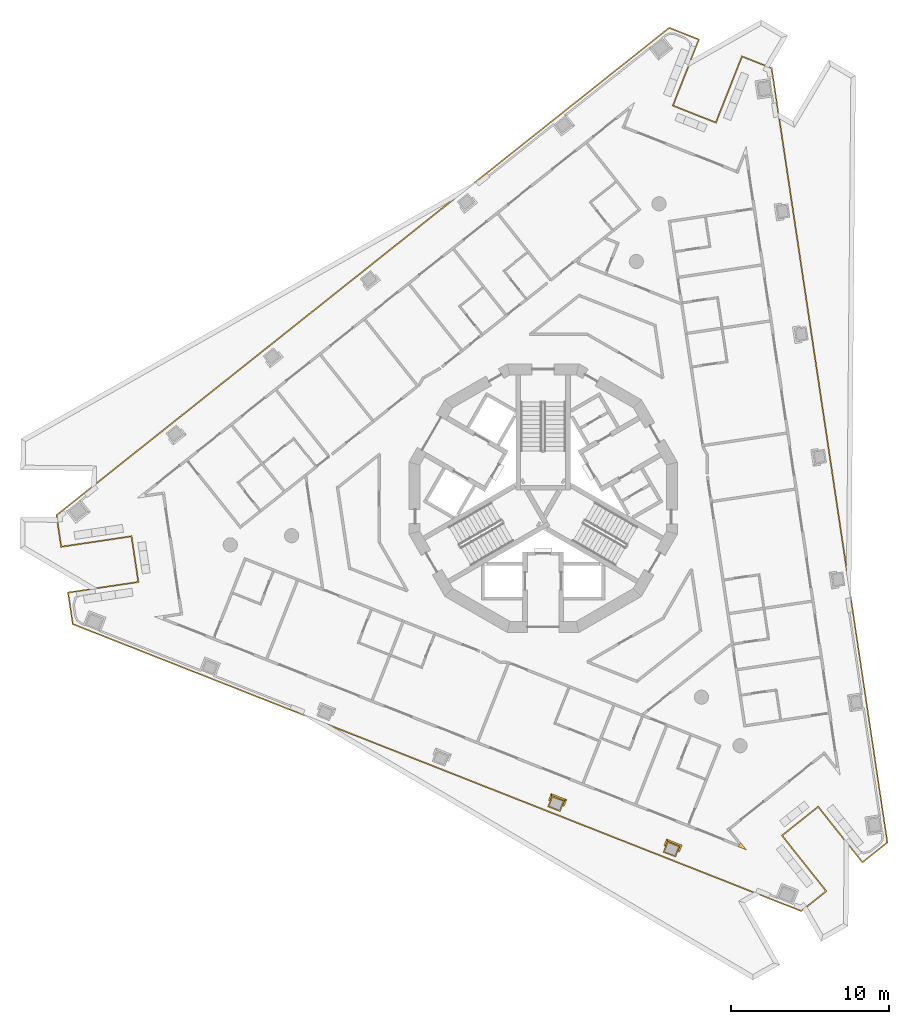
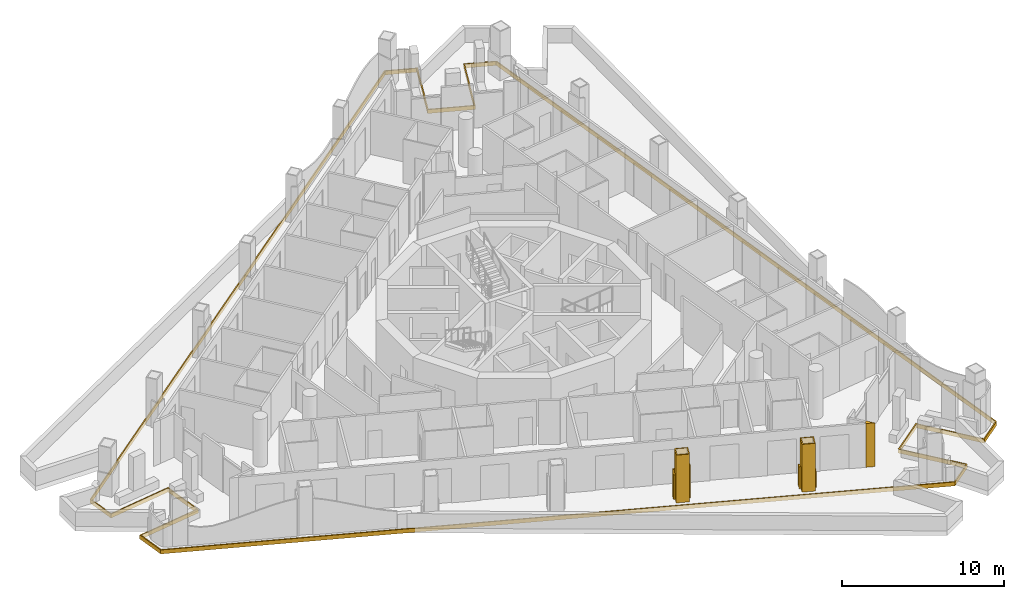
# One storey, part 12 of 16: 4 coverings, 2 railings.
"""IFC4 building model written with IfcOpenShell, lengths in metres."""

from ifc_helpers import new_model, si_unit, direction, frame, origin, place, context, subcontext, project, spatial, polyline, outline, extrude, material, layer, layer_set, type_object, element, save


model = new_model("IFC4")

# Units and contexts
model_context = context("Model", 3, precision=1e-05, world=origin(), true_north=direction((0.0, 1.0)))
body_context = subcontext(model_context, "Body", "Model", "MODEL_VIEW")
ifc_project = project(units=[si_unit("LENGTHUNIT", "METRE"), si_unit("AREAUNIT", "SQUARE_METRE"), si_unit("VOLUMEUNIT", "CUBIC_METRE"), si_unit("PLANEANGLEUNIT", "RADIAN"), si_unit("MASSUNIT", "GRAM", prefix="KILO")], contexts=[model_context])

# Site, building, storey
site_placement = place(None, origin())
site = spatial("IfcSite", under=ifc_project, at=site_placement, CompositionType="ELEMENT")
building_placement = place(site_placement, origin())
building = spatial("IfcBuilding", under=site, at=building_placement, Name="Trine Commons Tower", CompositionType="ELEMENT")
storey_placement = place(building_placement, frame((0.0, 0.0, 198.0)))
storey = spatial("IfcBuildingStorey", under=building, at=storey_placement, Name="L51", CompositionType="ELEMENT", Elevation=198.0)

# Coverings
ifc_material_1 = material(Name="Aluminium-framed insulated wall panel", Category="aluminium")
ifc_layer_1 = layer(ifc_material_1, 0.14990234375)
ifc_layer_set_1 = layer_set([ifc_layer_1], Name="Aluminium-framed insulated wall panel")
covering_type_1 = type_object("IfcCoveringType", Name="Glazing corner post, aluminium", PredefinedType="CLADDING", material=ifc_layer_set_1)
covering_1_placement = place(storey_placement, origin())
element("IfcCovering", 1, at=covering_1_placement, inside=storey, type_object=covering_type_1, Name="Glazing corner post 6-09", PredefinedType="CLADDING", context=body_context, shape_type="SweptSolid", body=[
    extrude(outline(polyline([(92.34765625, 40.439208984375), (92.868408203125, 40.23388671875), (92.52001953125, 40.672119140625), (92.402587890625, 40.57861328125), (92.34765625, 40.439208984375)])), origin(), (0.0, 0.0, 1.0), 3.300048828125),
])
ifc_material_2 = material(Name="Limestone, honed", Category="masonry")
ifc_layer_2 = layer(ifc_material_2, 0.074951171875)
ifc_layer_set_2 = layer_set([ifc_layer_2], Name="Limestone, honed")
covering_type_2 = type_object("IfcCoveringType", Name="Limestone column cladding 75", PredefinedType="CLADDING", material=ifc_layer_set_2)
covering_2_placement = place(storey_placement, origin())
element("IfcCovering", 2, at=covering_2_placement, inside=storey, type_object=covering_type_2, Name="Limestone pier cladding 6-02", PredefinedType="CLADDING", context=body_context, shape_type="SweptSolid", body=[
    extrude(outline(polyline([(87.8671875, 40.790771484375), (87.59228515625, 40.093017578125), (88.383056640625, 39.78125), (88.657958984375, 40.47900390625), (87.8671875, 40.790771484375)]), holes=[polyline([(87.909423828125, 40.693359375), (87.689453125, 40.13525390625), (88.3408203125, 39.878662109375), (88.560791015625, 40.436767578125), (87.909423828125, 40.693359375)])]), origin(), (0.0, 0.0, 1.0), 3.60009765625),
])
covering_3_placement = place(storey_placement, origin())
element("IfcCovering", 3, at=covering_3_placement, inside=storey, type_object=covering_type_2, Name="Limestone pier cladding 6-03", PredefinedType="CLADDING", context=body_context, shape_type="SweptSolid", body=[
    extrude(outline(polyline([(80.562744140625, 43.66796875), (80.287841796875, 42.97021484375), (81.078857421875, 42.658447265625), (81.353759765625, 43.356201171875), (80.562744140625, 43.66796875)]), holes=[polyline([(80.60498046875, 43.570556640625), (80.38525390625, 43.012451171875), (81.03662109375, 42.755859375), (81.25634765625, 43.31396484375), (80.60498046875, 43.570556640625)])]), origin(), (0.0, 0.0, 1.0), 3.60009765625),
])
ifc_layer_3 = layer(ifc_material_2, 0.074951171875)
ifc_layer_set_3 = layer_set([ifc_layer_3], Name="Limestone, honed")
covering_type_3 = type_object("IfcCoveringType", Name="Limestone spandrel panel 75", PredefinedType="CLADDING", material=ifc_layer_set_3)
covering_4_placement = place(storey_placement, frame((0.0, 0.0, -0.300048828125)))
element("IfcCovering", 4, at=covering_4_placement, inside=storey, type_object=covering_type_3, Name="Limestone spandrel panel 6-01", PredefinedType="CLADDING", context=body_context, shape_type="SweptSolid", body=[
    extrude(outline(polyline([(97.397705078125, 42.917236328125), (100.198974609375, 39.3955078125), (101.82861328125, 40.69189453125), (94.498779296875, 89.7373046875), (92.561279296875, 90.50048828125), (90.912109375, 86.313720703125), (88.26025390625, 87.358154296875), (89.90966796875, 91.545166015625), (87.97216796875, 92.308349609375), (49.162353515625, 61.4375), (49.47021484375, 59.378173828125), (53.9208984375, 60.043212890625), (54.342041015625, 57.224609375), (49.891357421875, 56.559326171875), (50.19921875, 54.5), (96.3388671875, 36.324951171875), (97.968505859375, 37.621337890625), (95.167236328125, 41.14306640625), (97.397705078125, 42.917236328125)]), holes=[polyline([(92.603515625, 90.4033203125), (94.430908203125, 89.683349609375), (101.748046875, 40.7236328125), (100.2109375, 39.5009765625), (97.40966796875, 43.022705078125), (95.061767578125, 41.155029296875), (97.86328125, 37.63330078125), (96.325927734375, 36.41064453125), (50.26708984375, 54.5537109375), (49.976806640625, 56.496337890625), (54.42724609375, 57.16162109375), (53.98388671875, 60.12841796875), (49.533203125, 59.46337890625), (49.242919921875, 61.406005859375), (87.98486328125, 92.22265625), (89.812255859375, 91.502685546875), (88.1630859375, 87.31591796875), (90.954345703125, 86.21630859375), (92.603515625, 90.4033203125)])]), origin(), (0.0, 0.0, 1.0), 0.300048828125),
])

# Railings
ifc_material_3 = material(Name="White powder-coated aluminium", Category="aluminium")
ifc_layer_4 = layer(ifc_material_3, 0.10009765625)
ifc_layer_set_4 = layer_set([ifc_layer_4], Name="White powder-coated aluminium")
railing_type = type_object("IfcRailingType", Name="White balustrade band 100", PredefinedType="GUARDRAIL", material=ifc_layer_set_4)
railing_1_placement = place(storey_placement, origin())
element("IfcRailing", 5, at=railing_1_placement, inside=storey, type_object=railing_type, Name="Guard band L51", PredefinedType="GUARDRAIL", context=body_context, shape_type="SweptSolid", body=[
    extrude(outline(polyline([(0.0, 0.0), (0.466064453125, 0.0), (0.4658203125, 1.28759765625), (0.4658203125, 1.28759765625), (0.0, 1.200439453125), (0.0, 0.0)])), frame((88.537109375, 40.14501953125, 0.0), z_axis=(0.930522049423, -0.366235874182, 0.0), x_axis=(0.366235874182, 0.930522049423, 0.0)), (0.0, 0.0, 1.0), 0.10009765625),
    extrude(outline(polyline([(0.0, 0.0), (1.071533203125, 0.0), (1.0712890625, 1.539794921875), (0.53564453125, 1.39013671875), (0.0, 1.2666015625), (0.0, 0.0)])), frame((88.764404296875, 40.44775390625, 0.0), z_axis=(0.366632108, 0.930366001842, 0.0), x_axis=(-0.930366001842, 0.366632108, 0.0)), (0.0, 0.0, 1.0), 0.10009765625),
    extrude(outline(polyline([(0.0, 0.0), (0.465576171875, 0.0), (0.4658203125, 1.6533203125), (0.0, 1.509765625), (0.0, 0.0)])), frame((87.8984375, 40.897216796875, 0.0), z_axis=(-0.930381292098, 0.36659330506, 0.0), x_axis=(-0.36659330506, -0.930381292098, 0.0)), (0.0, 0.0, 1.0), 0.10009765625),
])
railing_2_placement = place(storey_placement, origin())
element("IfcRailing", 6, at=railing_2_placement, inside=storey, type_object=railing_type, Name="Guard band L51 2", PredefinedType="GUARDRAIL", context=body_context, shape_type="SweptSolid", body=[
    extrude(outline(polyline([(0.0, 0.0), (0.466064453125, 0.0), (0.46630859375, 2.318359375), (0.466064453125, 2.318359375), (0.0, 2.46435546875), (0.0, 0.0)])), frame((81.232666015625, 43.0224609375, 0.0), z_axis=(0.930343418463, -0.36668941043, 0.0), x_axis=(0.36668941043, 0.930343418463, 0.0)), (0.0, 0.0, 1.0), 0.10009765625),
    extrude(outline(polyline([(0.0, 0.0), (1.07177734375, 0.0), (1.071533203125, 1.98681640625), (0.535888671875, 2.172607421875), (0.0, 2.351318359375), (0.0, 0.0)])), frame((81.460205078125, 43.324951171875, 0.0), z_axis=(0.366476719469, 0.930427221274, 0.0), x_axis=(-0.930427221274, 0.366476719469, 0.0)), (0.0, 0.0, 1.0), 0.10009765625),
    extrude(outline(polyline([(0.0, 0.0), (0.465576171875, 0.0), (0.465576171875, 1.8603515625), (0.0, 2.022216796875), (0.0, 0.0)])), frame((80.59423828125, 43.7744140625, 0.0), z_axis=(-0.930381292098, 0.36659330506, 0.0), x_axis=(-0.36659330506, -0.930381292098, 0.0)), (0.0, 0.0, 1.0), 0.10009765625),
])

save(model, "model.ifc")
